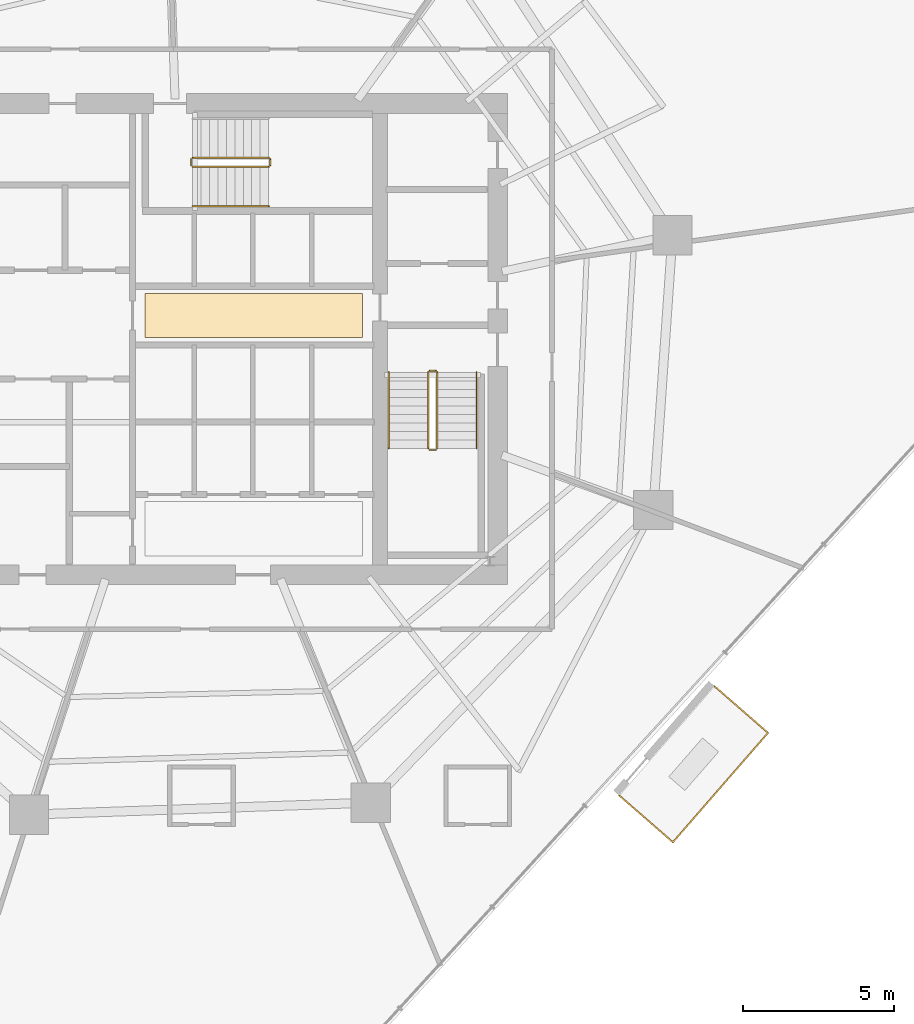
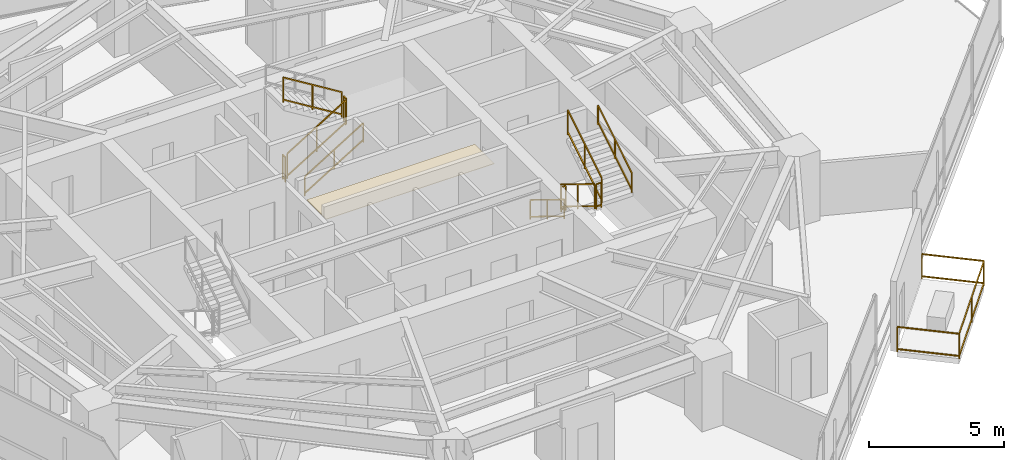
# One storey, part 32 of 33: 12 railings, 1 covering.
"""IFC4 building model written with IfcOpenShell, lengths in metres."""

from ifc_helpers import new_model, si_unit, direction, frame, origin, origin_2d, place, context, subcontext, project, spatial, rectangle, extrude, material, layer, layer_set, type_object, element, save


model = new_model("IFC4")

# Units and contexts
model_context = context("Model", 3, precision=1e-05, world=origin(), true_north=direction((0.0, 1.0)))
body_context = subcontext(model_context, "Body", "Model", "MODEL_VIEW")
ifc_project = project(units=[si_unit("LENGTHUNIT", "METRE"), si_unit("AREAUNIT", "SQUARE_METRE"), si_unit("VOLUMEUNIT", "CUBIC_METRE"), si_unit("PLANEANGLEUNIT", "RADIAN"), si_unit("MASSUNIT", "GRAM", prefix="KILO")], contexts=[model_context])

# Site, building, storey
site_placement = place(None, origin())
site = spatial("IfcSite", under=ifc_project, at=site_placement, CompositionType="ELEMENT")
building_placement = place(site_placement, origin())
building = spatial("IfcBuilding", under=site, at=building_placement, Name="Qarnah Convention Tower", CompositionType="ELEMENT")
storey_placement = place(building_placement, frame((0.0, 0.0, 27.0)))
storey = spatial("IfcBuildingStorey", under=building, at=storey_placement, Name="L05", CompositionType="ELEMENT", Elevation=27.0)

# Covering
ifc_material_1 = material(Name="Mineral fibre acoustic ceiling")
ifc_layer = layer(ifc_material_1, 0.02001953125)
ifc_layer_set = layer_set([ifc_layer], Name="Mineral fibre acoustic ceiling")
covering_type = type_object("IfcCoveringType", Name="COV-CEIL-20", PredefinedType="CEILING", material=ifc_layer_set)
covering_placement = place(storey_placement, frame((39.52001953125, 27.179931640625, 2.2900390625), z_axis=(0.0, 0.0, 1.0), x_axis=(1.0, 0.0, 0.0)))
element("IfcCovering", 1, at=covering_placement, inside=storey, type_object=covering_type, Name="L05 lift lobby acoustic ceiling", PredefinedType="CEILING", context=body_context, shape_type="SweptSolid", body=[
    extrude(rectangle(XDim=7.199951171875, YDim=1.449951171875, at=origin_2d()), origin(), (0.0, 0.0, 1.0), 0.02001953125),
])

# Railings
ifc_material_2 = material(Name="Black anodised aluminium", Category="aluminium")
railing_type_1 = type_object("IfcRailingType", Name="RL-EXT-GUARD-1150", PredefinedType="GUARDRAIL", material=ifc_material_2)
railing_1_placement = place(storey_placement, frame((54.781005859375, 14.908935546875, 0.0)))
element("IfcRailing", 2, at=railing_1_placement, inside=storey, type_object=railing_type_1, Name="L05 balcony safety guard VN-L05", PredefinedType="GUARDRAIL", context=body_context, shape_type="SweptSolid", body=[
    extrude(rectangle(XDim=0.048095703125, YDim=0.048095703125, at=origin_2d()), frame((0.0, 0.0, 1.1259765625), z_axis=(0.754157953308, -0.656693064881, 0.0), x_axis=(0.656693064881, 0.754157953308, 0.0)), (0.0, 0.0, 1.0), 2.349609375),
    extrude(rectangle(XDim=0.048095703125, YDim=0.048095703125, at=origin_2d()), frame((0.0, 0.0, 0.1201171875), z_axis=(0.754157953308, -0.656693064881, 0.0), x_axis=(0.656693064881, 0.754157953308, 0.0)), (0.0, 0.0, 1.0), 2.349609375),
    extrude(rectangle(XDim=0.048095703125, YDim=0.048095703125, at=origin_2d()), frame((1.77197265625, -1.54296875, 1.1259765625), z_axis=(-0.656553958463, -0.754279059517, 0.0), x_axis=(0.754279059517, -0.656553958463, 0.0)), (0.0, 0.0, 1.0), 4.799072265625),
    extrude(rectangle(XDim=0.048095703125, YDim=0.048095703125, at=origin_2d()), frame((1.77197265625, -1.54296875, 0.1201171875), z_axis=(-0.656553958463, -0.754279059517, 0.0), x_axis=(0.754279059517, -0.656553958463, 0.0)), (0.0, 0.0, 1.0), 4.799072265625),
    extrude(rectangle(XDim=0.048095703125, YDim=0.048095703125, at=origin_2d()), frame((-1.37890625, -5.162841796875, 1.1259765625), z_axis=(-0.754381869245, 0.656435827293, 0.0), x_axis=(-0.656435827293, -0.754381869245, 0.0)), (0.0, 0.0, 1.0), 2.3505859375),
    extrude(rectangle(XDim=0.048095703125, YDim=0.048095703125, at=origin_2d()), frame((-1.37890625, -5.162841796875, 0.1201171875), z_axis=(-0.754381869245, 0.656435827293, 0.0), x_axis=(-0.656435827293, -0.754381869245, 0.0)), (0.0, 0.0, 1.0), 2.3505859375),
    extrude(rectangle(XDim=0.0419921875, YDim=0.0419921875, at=origin_2d()), origin(), (0.0, 0.0, 1.0), 1.101806640625),
    extrude(rectangle(XDim=0.0419921875, YDim=0.0419921875, at=origin_2d()), frame((1.77197265625, -1.54296875, 0.0)), (0.0, 0.0, 1.0), 1.101806640625),
    extrude(rectangle(XDim=0.0419921875, YDim=0.0419921875, at=origin_2d()), frame((0.196533203125, -3.35302734375, 0.0)), (0.0, 0.0, 1.0), 1.101806640625),
    extrude(rectangle(XDim=0.0419921875, YDim=0.0419921875, at=origin_2d()), frame((-1.37890625, -5.162841796875, 0.0)), (0.0, 0.0, 1.0), 1.101806640625),
    extrude(rectangle(XDim=0.0419921875, YDim=0.0419921875, at=origin_2d()), frame((-3.152099609375, -3.619873046875, 0.0)), (0.0, 0.0, 1.0), 1.101806640625),
])
ifc_material_3 = material(Name="Structural steel S355JR", Category="steel")
railing_type_2 = type_object("IfcRailingType", Name="RL-STAIR-GUARD-1150", PredefinedType="GUARDRAIL", material=ifc_material_3)
railing_2_placement = place(storey_placement, frame((45.300048828125, 25.300048828125, 0.172607421875)))
element("IfcRailing", 3, at=railing_2_placement, inside=storey, type_object=railing_type_2, Name="L05 ST-2 stair guard 1", PredefinedType="GUARDRAIL", context=body_context, shape_type="SweptSolid", body=[
    extrude(rectangle(XDim=0.048095703125, YDim=0.048095703125, at=origin_2d()), frame((0.0, 0.0, 1.1259765625), z_axis=(0.0, -0.851400495292, 0.524516154772), x_axis=(1.0, 0.0, 0.0)), (0.0, 0.0, 1.0), 2.9599609375),
    extrude(rectangle(XDim=0.048095703125, YDim=0.048095703125, at=origin_2d()), frame((0.0, 0.0, 0.1201171875), z_axis=(0.0, -0.851400495292, 0.524516154772), x_axis=(1.0, 0.0, 0.0)), (0.0, 0.0, 1.0), 2.9599609375),
    extrude(rectangle(XDim=0.0419921875, YDim=0.0419921875, at=origin_2d()), origin(), (0.0, 0.0, 1.0), 1.101806640625),
    extrude(rectangle(XDim=0.0419921875, YDim=0.0419921875, at=origin_2d()), frame((0.0, -1.260009765625, 0.7763671875)), (0.0, 0.0, 1.0), 1.101806640625),
    extrude(rectangle(XDim=0.0419921875, YDim=0.0419921875, at=origin_2d()), frame((0.0, -2.52001953125, 1.552490234375)), (0.0, 0.0, 1.0), 1.101806640625),
])
railing_3_placement = place(storey_placement, frame((45.35009765625, 22.72998046875, 1.72509765625)))
element("IfcRailing", 4, at=railing_3_placement, inside=storey, type_object=railing_type_2, Name="L05 ST-2 stair guard 2", PredefinedType="GUARDRAIL", context=body_context, shape_type="SweptSolid", body=[
    extrude(rectangle(XDim=0.048095703125, YDim=0.048095703125, at=origin_2d()), frame((0.0, 0.0, 1.1259765625), z_axis=(1.0, 0.0, 0.0), x_axis=(0.0, 1.0, 0.0)), (0.0, 0.0, 1.0), 0.199951171875),
    extrude(rectangle(XDim=0.048095703125, YDim=0.048095703125, at=origin_2d()), frame((0.0, 0.0, 0.1201171875), z_axis=(1.0, 0.0, 0.0), x_axis=(0.0, 1.0, 0.0)), (0.0, 0.0, 1.0), 0.199951171875),
    extrude(rectangle(XDim=0.0419921875, YDim=0.0419921875, at=origin_2d()), origin(), (0.0, 0.0, 1.0), 1.101806640625),
    extrude(rectangle(XDim=0.0419921875, YDim=0.0419921875, at=origin_2d()), frame((0.199951171875, 0.0, 0.0)), (0.0, 0.0, 1.0), 1.101806640625),
])
railing_4_placement = place(storey_placement, frame((45.60009765625, 22.780029296875, 1.8974609375)))
element("IfcRailing", 5, at=railing_4_placement, inside=storey, type_object=railing_type_2, Name="L05 ST-2 stair guard 3", PredefinedType="GUARDRAIL", context=body_context, shape_type="SweptSolid", body=[
    extrude(rectangle(XDim=0.048095703125, YDim=0.048095703125, at=origin_2d()), frame((0.0, 0.0, 1.1259765625), z_axis=(0.0, 0.851400495292, 0.524516154772), x_axis=(-1.0, 0.0, 0.0)), (0.0, 0.0, 1.0), 2.9599609375),
    extrude(rectangle(XDim=0.048095703125, YDim=0.048095703125, at=origin_2d()), frame((0.0, 0.0, 0.1201171875), z_axis=(0.0, 0.851400495292, 0.524516154772), x_axis=(-1.0, 0.0, 0.0)), (0.0, 0.0, 1.0), 2.9599609375),
    extrude(rectangle(XDim=0.0419921875, YDim=0.0419921875, at=origin_2d()), origin(), (0.0, 0.0, 1.0), 1.101806640625),
    extrude(rectangle(XDim=0.0419921875, YDim=0.0419921875, at=origin_2d()), frame((0.0, 1.260009765625, 0.7763671875)), (0.0, 0.0, 1.0), 1.101806640625),
    extrude(rectangle(XDim=0.0419921875, YDim=0.0419921875, at=origin_2d()), frame((0.0, 2.52001953125, 1.552490234375)), (0.0, 0.0, 1.0), 1.101806640625),
])
railing_5_placement = place(storey_placement, frame((45.35009765625, 25.35009765625, 0.0)))
element("IfcRailing", 6, at=railing_5_placement, inside=storey, type_object=railing_type_2, Name="L05 ST-2 stair guard 4", PredefinedType="GUARDRAIL", context=body_context, shape_type="SweptSolid", body=[
    extrude(rectangle(XDim=0.048095703125, YDim=0.048095703125, at=origin_2d()), frame((0.0, 0.0, 1.1259765625), z_axis=(1.0, 0.0, 0.0), x_axis=(0.0, 1.0, 0.0)), (0.0, 0.0, 1.0), 0.199951171875),
    extrude(rectangle(XDim=0.048095703125, YDim=0.048095703125, at=origin_2d()), frame((0.0, 0.0, 0.1201171875), z_axis=(1.0, 0.0, 0.0), x_axis=(0.0, 1.0, 0.0)), (0.0, 0.0, 1.0), 0.199951171875),
    extrude(rectangle(XDim=0.0419921875, YDim=0.0419921875, at=origin_2d()), origin(), (0.0, 0.0, 1.0), 1.101806640625),
    extrude(rectangle(XDim=0.0419921875, YDim=0.0419921875, at=origin_2d()), frame((0.199951171875, 0.0, 0.0)), (0.0, 0.0, 1.0), 1.101806640625),
])
railing_6_placement = place(storey_placement, frame((37.5, 32.10009765625, 0.172607421875)))
element("IfcRailing", 7, at=railing_6_placement, inside=storey, type_object=railing_type_2, Name="L05 ST-3 stair guard 1", PredefinedType="GUARDRAIL", context=body_context, shape_type="SweptSolid", body=[
    extrude(rectangle(XDim=0.048095703125, YDim=0.048095703125, at=origin_2d()), frame((0.0, 0.0, 1.1259765625), z_axis=(0.851400495292, 0.0, 0.524516154772), x_axis=(0.0, 1.0, 0.0)), (0.0, 0.0, 1.0), 2.9599609375),
    extrude(rectangle(XDim=0.048095703125, YDim=0.048095703125, at=origin_2d()), frame((0.0, 0.0, 0.1201171875), z_axis=(0.851400495292, 0.0, 0.524516154772), x_axis=(0.0, 1.0, 0.0)), (0.0, 0.0, 1.0), 2.9599609375),
    extrude(rectangle(XDim=0.0419921875, YDim=0.0419921875, at=origin_2d()), origin(), (0.0, 0.0, 1.0), 1.101806640625),
    extrude(rectangle(XDim=0.0419921875, YDim=0.0419921875, at=origin_2d()), frame((1.260009765625, 0.0, 0.7763671875)), (0.0, 0.0, 1.0), 1.101806640625),
    extrude(rectangle(XDim=0.0419921875, YDim=0.0419921875, at=origin_2d()), frame((2.52001953125, 0.0, 1.552490234375)), (0.0, 0.0, 1.0), 1.101806640625),
])
railing_7_placement = place(storey_placement, frame((40.070068359375, 32.14990234375, 1.72509765625)))
element("IfcRailing", 8, at=railing_7_placement, inside=storey, type_object=railing_type_2, Name="L05 ST-3 stair guard 2", PredefinedType="GUARDRAIL", context=body_context, shape_type="SweptSolid", body=[
    extrude(rectangle(XDim=0.048095703125, YDim=0.048095703125, at=origin_2d()), frame((0.0, 0.0, 1.1259765625), z_axis=(0.0, 1.0, 0.0), x_axis=(-1.0, 0.0, 0.0)), (0.0, 0.0, 1.0), 0.2001953125),
    extrude(rectangle(XDim=0.048095703125, YDim=0.048095703125, at=origin_2d()), frame((0.0, 0.0, 0.1201171875), z_axis=(0.0, 1.0, 0.0), x_axis=(-1.0, 0.0, 0.0)), (0.0, 0.0, 1.0), 0.2001953125),
    extrude(rectangle(XDim=0.0419921875, YDim=0.0419921875, at=origin_2d()), origin(), (0.0, 0.0, 1.0), 1.101806640625),
    extrude(rectangle(XDim=0.0419921875, YDim=0.0419921875, at=origin_2d()), frame((0.0, 0.2001953125, 0.0)), (0.0, 0.0, 1.0), 1.101806640625),
])
railing_8_placement = place(storey_placement, frame((40.02001953125, 32.39990234375, 1.8974609375)))
element("IfcRailing", 9, at=railing_8_placement, inside=storey, type_object=railing_type_2, Name="L05 ST-3 stair guard 3", PredefinedType="GUARDRAIL", context=body_context, shape_type="SweptSolid", body=[
    extrude(rectangle(XDim=0.048095703125, YDim=0.048095703125, at=origin_2d()), frame((0.0, 0.0, 1.1259765625), z_axis=(-0.851400495292, 0.0, 0.524516154772), x_axis=(0.0, -1.0, 0.0)), (0.0, 0.0, 1.0), 2.9599609375),
    extrude(rectangle(XDim=0.048095703125, YDim=0.048095703125, at=origin_2d()), frame((0.0, 0.0, 0.1201171875), z_axis=(-0.851400495292, 0.0, 0.524516154772), x_axis=(0.0, -1.0, 0.0)), (0.0, 0.0, 1.0), 2.9599609375),
    extrude(rectangle(XDim=0.0419921875, YDim=0.0419921875, at=origin_2d()), origin(), (0.0, 0.0, 1.0), 1.101806640625),
    extrude(rectangle(XDim=0.0419921875, YDim=0.0419921875, at=origin_2d()), frame((-1.260009765625, 0.0, 0.7763671875)), (0.0, 0.0, 1.0), 1.101806640625),
    extrude(rectangle(XDim=0.0419921875, YDim=0.0419921875, at=origin_2d()), frame((-2.52001953125, 0.0, 1.552490234375)), (0.0, 0.0, 1.0), 1.101806640625),
])
railing_9_placement = place(storey_placement, frame((37.449951171875, 32.14990234375, 0.0)))
element("IfcRailing", 10, at=railing_9_placement, inside=storey, type_object=railing_type_2, Name="L05 ST-3 stair guard 4", PredefinedType="GUARDRAIL", context=body_context, shape_type="SweptSolid", body=[
    extrude(rectangle(XDim=0.048095703125, YDim=0.048095703125, at=origin_2d()), frame((0.0, 0.0, 1.1259765625), z_axis=(0.0, 1.0, 0.0), x_axis=(-1.0, 0.0, 0.0)), (0.0, 0.0, 1.0), 0.2001953125),
    extrude(rectangle(XDim=0.048095703125, YDim=0.048095703125, at=origin_2d()), frame((0.0, 0.0, 0.1201171875), z_axis=(0.0, 1.0, 0.0), x_axis=(-1.0, 0.0, 0.0)), (0.0, 0.0, 1.0), 0.2001953125),
    extrude(rectangle(XDim=0.0419921875, YDim=0.0419921875, at=origin_2d()), origin(), (0.0, 0.0, 1.0), 1.101806640625),
    extrude(rectangle(XDim=0.0419921875, YDim=0.0419921875, at=origin_2d()), frame((0.0, 0.2001953125, 0.0)), (0.0, 0.0, 1.0), 1.101806640625),
])
railing_type_3 = type_object("IfcRailingType", Name="RL-STAIR-HAND-900", PredefinedType="HANDRAIL", material=ifc_material_3)
railing_10_placement = place(storey_placement, frame((44.0, 25.300048828125, 0.172607421875)))
element("IfcRailing", 11, at=railing_10_placement, inside=storey, type_object=railing_type_3, Name="L05 ST-2 stair handrail 1", PredefinedType="HANDRAIL", context=body_context, shape_type="SweptSolid", body=[
    extrude(rectangle(XDim=0.048095703125, YDim=0.048095703125, at=origin_2d()), frame((0.0, 0.0, 0.8759765625), z_axis=(0.0, -0.851400495292, 0.524516154772), x_axis=(1.0, 0.0, 0.0)), (0.0, 0.0, 1.0), 2.9599609375),
    extrude(rectangle(XDim=0.048095703125, YDim=0.048095703125, at=origin_2d()), frame((0.0, 0.0, 0.1201171875), z_axis=(0.0, -0.851400495292, 0.524516154772), x_axis=(1.0, 0.0, 0.0)), (0.0, 0.0, 1.0), 2.9599609375),
    extrude(rectangle(XDim=0.0419921875, YDim=0.0419921875, at=origin_2d()), origin(), (0.0, 0.0, 1.0), 0.851806640625),
    extrude(rectangle(XDim=0.0419921875, YDim=0.0419921875, at=origin_2d()), frame((0.0, -1.260009765625, 0.7763671875)), (0.0, 0.0, 1.0), 0.851806640625),
    extrude(rectangle(XDim=0.0419921875, YDim=0.0419921875, at=origin_2d()), frame((0.0, -2.52001953125, 1.552490234375)), (0.0, 0.0, 1.0), 0.851806640625),
])
railing_11_placement = place(storey_placement, frame((46.89990234375, 22.780029296875, 1.8974609375)))
element("IfcRailing", 12, at=railing_11_placement, inside=storey, type_object=railing_type_3, Name="L05 ST-2 stair handrail 2", PredefinedType="HANDRAIL", context=body_context, shape_type="SweptSolid", body=[
    extrude(rectangle(XDim=0.048095703125, YDim=0.048095703125, at=origin_2d()), frame((0.0, 0.0, 0.8759765625), z_axis=(0.0, 0.851400495292, 0.524516154772), x_axis=(-1.0, 0.0, 0.0)), (0.0, 0.0, 1.0), 2.9599609375),
    extrude(rectangle(XDim=0.048095703125, YDim=0.048095703125, at=origin_2d()), frame((0.0, 0.0, 0.1201171875), z_axis=(0.0, 0.851400495292, 0.524516154772), x_axis=(-1.0, 0.0, 0.0)), (0.0, 0.0, 1.0), 2.9599609375),
    extrude(rectangle(XDim=0.0419921875, YDim=0.0419921875, at=origin_2d()), origin(), (0.0, 0.0, 1.0), 0.851806640625),
    extrude(rectangle(XDim=0.0419921875, YDim=0.0419921875, at=origin_2d()), frame((0.0, 1.260009765625, 0.7763671875)), (0.0, 0.0, 1.0), 0.851806640625),
    extrude(rectangle(XDim=0.0419921875, YDim=0.0419921875, at=origin_2d()), frame((0.0, 2.52001953125, 1.552490234375)), (0.0, 0.0, 1.0), 0.851806640625),
])
railing_12_placement = place(storey_placement, frame((37.5, 30.800048828125, 0.172607421875)))
element("IfcRailing", 13, at=railing_12_placement, inside=storey, type_object=railing_type_3, Name="L05 ST-3 stair handrail 1", PredefinedType="HANDRAIL", context=body_context, shape_type="SweptSolid", body=[
    extrude(rectangle(XDim=0.048095703125, YDim=0.048095703125, at=origin_2d()), frame((0.0, 0.0, 0.8759765625), z_axis=(0.851400495292, 0.0, 0.524516154772), x_axis=(0.0, 1.0, 0.0)), (0.0, 0.0, 1.0), 2.9599609375),
    extrude(rectangle(XDim=0.048095703125, YDim=0.048095703125, at=origin_2d()), frame((0.0, 0.0, 0.1201171875), z_axis=(0.851400495292, 0.0, 0.524516154772), x_axis=(0.0, 1.0, 0.0)), (0.0, 0.0, 1.0), 2.9599609375),
    extrude(rectangle(XDim=0.0419921875, YDim=0.0419921875, at=origin_2d()), origin(), (0.0, 0.0, 1.0), 0.851806640625),
    extrude(rectangle(XDim=0.0419921875, YDim=0.0419921875, at=origin_2d()), frame((1.260009765625, 0.0, 0.7763671875)), (0.0, 0.0, 1.0), 0.851806640625),
    extrude(rectangle(XDim=0.0419921875, YDim=0.0419921875, at=origin_2d()), frame((2.52001953125, 0.0, 1.552490234375)), (0.0, 0.0, 1.0), 0.851806640625),
])

save(model, "model.ifc")
